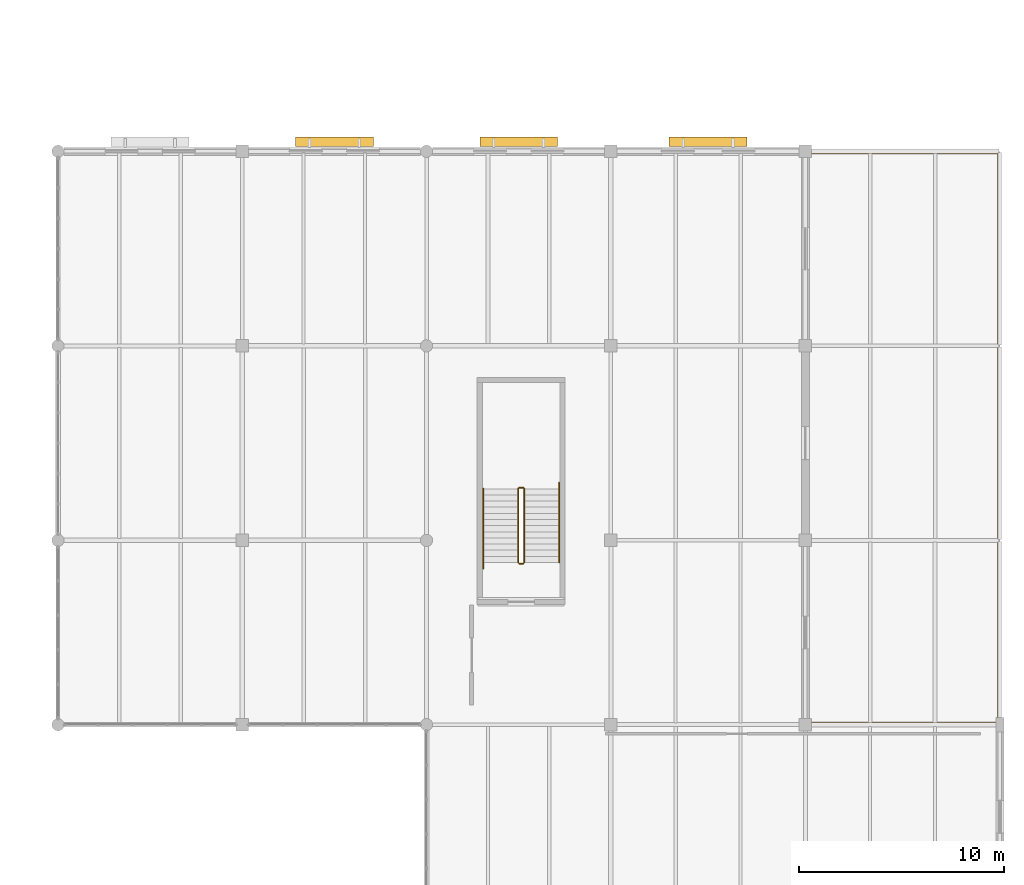
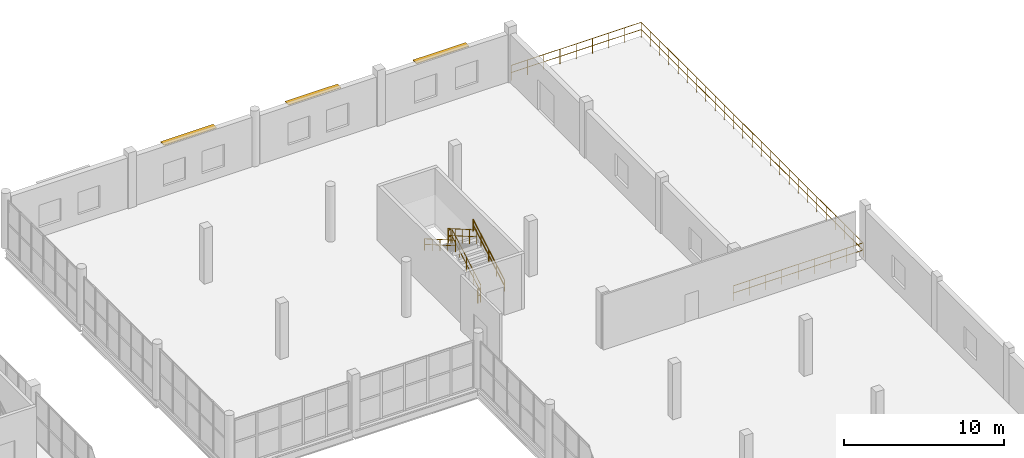
# One storey, part 73 of 73: 7 railings, 3 shading devices.
"""IFC4 building model written with IfcOpenShell, lengths in metres."""

import ifcopenshell
import ifcopenshell.guid

model = None  # the IFC model being written
_history = None  # IfcOwnerHistory: only IFC2X3 demands one
_inside = {}  # id of a spatial element -> (the spatial element, [elements in it])
_under = {}  # id of a project, library or spatial element -> (it, [spatial elements below it])
_declared = {}  # id of a project -> (the project, [libraries it declares])
_typed = {}  # id of a type object -> (the type object, [elements of that type])
_made_of = {}  # id of a material, layer set ... -> (it, [elements and type objects made of it])


def new_model(schema):
    """Start an empty IFC model of exactly this schema.

    Asked for "IFC4X3", IfcOpenShell would pick the latest addendum, in which some entities
    have other attributes; the version numbers below select the first issue.
    IFC2X3 requires an IfcOwnerHistory on every rooted entity: one is made here for all.
    """
    global model, _history
    if schema == "IFC4X3":
        model = ifcopenshell.file(schema_version=(4, 3, 0, 0))
    else:
        model = ifcopenshell.file(schema=schema)
    _inside.clear()
    _under.clear()
    _declared.clear()
    _typed.clear()
    _made_of.clear()
    _history = None
    if model.schema == "IFC2X3":
        org = make("IfcOrganization", Name="unknown")
        user = make(
            "IfcPersonAndOrganization",
            ThePerson=make("IfcPerson", FamilyName="unknown"),
            TheOrganization=org,
        )
        app = make(
            "IfcApplication",
            ApplicationDeveloper=org,
            Version="unknown",
            ApplicationFullName="unknown",
            ApplicationIdentifier="unknown",
        )
        _history = make(
            "IfcOwnerHistory",
            OwningUser=user,
            OwningApplication=app,
            ChangeAction="ADDED",
            CreationDate=0,
        )
    return model


def make(cls, **values):
    """One entity of the class cls with the attributes given. An attribute that is None is left unset."""
    return model.create_entity(
        cls, **{name: value for name, value in values.items() if value is not None}
    )


def rooted(cls, **values):
    """An entity with a GlobalId (a new one), such as an element, a storey or a relation."""
    return make(cls, GlobalId=ifcopenshell.guid.new(), OwnerHistory=_history, **values)


def si_unit(unit_type, name, prefix=None):
    """IfcSIUnit, for example si_unit("LENGTHUNIT", "METRE", prefix="MILLI")."""
    return make("IfcSIUnit", UnitType=unit_type, Prefix=prefix, Name=name)


def assignment(units):
    """IfcUnitAssignment: the units of a project."""
    return None if units is None else make("IfcUnitAssignment", Units=units)


def point(xyz):
    """IfcCartesianPoint."""
    return None if xyz is None else make("IfcCartesianPoint", Coordinates=xyz)


def direction(xyz):
    """IfcDirection."""
    return None if xyz is None else make("IfcDirection", DirectionRatios=xyz)


def frame(location, z_axis=None, x_axis=None):
    """IfcAxis2Placement3D, a coordinate frame: its origin and axes. An axis left out is left unset."""
    return make(
        "IfcAxis2Placement3D",
        Location=point(location),
        Axis=direction(z_axis),
        RefDirection=direction(x_axis),
    )


def frame_2d(location, x_axis=None):
    """IfcAxis2Placement2D, a coordinate frame in the plane: its origin and x axis."""
    return make(
        "IfcAxis2Placement2D", Location=point(location), RefDirection=direction(x_axis)
    )


def origin():
    """The frame at (0, 0, 0) with its axes left unset."""
    return frame((0.0, 0.0, 0.0))


def origin_2d():
    """The frame at (0, 0) in the plane with its x axis left unset."""
    return frame_2d((0.0, 0.0))


def place(relative_to, where):
    """IfcLocalPlacement: puts the frame where relative to a parent placement (None: the world)."""
    return make(
        "IfcLocalPlacement", PlacementRelTo=relative_to, RelativePlacement=where
    )


def context(
    kind, dimensions, precision=None, world=None, true_north=None, identifier=None
):
    """IfcGeometricRepresentationContext, for example the 3D "Model" context."""
    return make(
        "IfcGeometricRepresentationContext",
        ContextIdentifier=identifier,
        ContextType=kind,
        CoordinateSpaceDimension=dimensions,
        Precision=precision,
        WorldCoordinateSystem=world,
        TrueNorth=true_north,
    )


def subcontext(parent, identifier, kind, view, scale=None):
    """IfcGeometricRepresentationSubContext, for example "Body" below "Model"."""
    return make(
        "IfcGeometricRepresentationSubContext",
        ContextIdentifier=identifier,
        ContextType=kind,
        ParentContext=parent,
        TargetScale=scale,
        TargetView=view,
    )


def project(units=None, contexts=None):
    """IfcProject with its units and contexts."""
    return rooted(
        "IfcProject",
        Name="project",
        RepresentationContexts=contexts,
        UnitsInContext=assignment(units),
    )


def spatial(cls, under=None, at=None, **own):
    """A site, building, storey or space (cls), placed at a placement, below another one or the project."""
    s = rooted(cls, ObjectPlacement=at, **own)
    if under is not None:
        _under.setdefault(under.id(), (under, []))[1].append(s)
    return s


def profile(cls, at=None, kind="AREA", **sizes):
    """A parametric profile (cls). Its sizes go by their IFC names, for example OverallWidth=200.0."""
    return make(cls, ProfileType=kind, Position=at, **sizes)


def rectangle(**sizes):
    """IfcRectangleProfileDef."""
    return profile("IfcRectangleProfileDef", **sizes)


def circle(**sizes):
    """IfcCircleProfileDef."""
    return profile("IfcCircleProfileDef", **sizes)


def extrude(swept, where, along, depth):
    """IfcExtrudedAreaSolid: the profile swept, set in the frame where, extruded along a direction by depth."""
    return make(
        "IfcExtrudedAreaSolid",
        SweptArea=swept,
        Position=where,
        ExtrudedDirection=direction(along),
        Depth=depth,
    )


def shape(context_of_items, identifier, shape_type, items):
    """IfcShapeRepresentation: the items that make up one representation, for example the "Body"."""
    return make(
        "IfcShapeRepresentation",
        ContextOfItems=context_of_items,
        RepresentationIdentifier=identifier,
        RepresentationType=shape_type,
        Items=items,
    )


def material(Name=None, Category=None):
    """IfcMaterial."""
    return make("IfcMaterial", Name=Name, Category=Category)


def layer(
    of_material, thickness, ventilated=None, Name=None, Category=None, Priority=None
):
    """IfcMaterialLayer: one layer of a wall or slab, of a material (None: an air gap)."""
    return make(
        "IfcMaterialLayer",
        Material=of_material,
        LayerThickness=thickness,
        IsVentilated=ventilated,
        Name=Name,
        Category=Category,
        Priority=Priority,
    )


def layer_set(layers, Name=None):
    """IfcMaterialLayerSet."""
    return make("IfcMaterialLayerSet", MaterialLayers=layers, LayerSetName=Name)


def made_of(thing, what):
    """Note that an element or type object is made of a material, layer set ...; save() writes the relation."""
    if what is not None:
        _made_of.setdefault(what.id(), (what, []))[1].append(thing)
    return thing


def type_object(cls, material=None, **own):
    """A type object (cls), such as IfcWallType, which elements share."""
    return made_of(rooted(cls, **own), material)


def element(
    cls,
    number,
    at=None,
    inside=None,
    cuts=None,
    type_object=None,
    material=None,
    context=None,
    identifier="Body",
    shape_type=None,
    held_by="IfcProductDefinitionShape",
    body=None,
    shapes=None,
    **own,
):
    """One element of the class cls, such as IfcWall. Its Tag is "e" and its number.

    at: its placement. inside: the storey or other place that contains it. cuts: it is an
    opening in that element (IfcRelVoidsElement). A single representation is given by context,
    identifier, shape_type and body (its items); several are given by shapes. held_by: the class
    of the entity that holds the representations. save() writes the other relations.
    """
    e = rooted(cls, Tag="e%d" % number, ObjectPlacement=at, **own)
    if body is not None:
        shapes = [shape(context, identifier, shape_type, body)]
    if shapes is not None:
        e.Representation = make(held_by, Representations=shapes)
    if inside is not None:
        _inside.setdefault(inside.id(), (inside, []))[1].append(e)
    if cuts is not None:
        rooted(
            "IfcRelVoidsElement", RelatingBuildingElement=cuts, RelatedOpeningElement=e
        )
    if type_object is not None:
        _typed.setdefault(type_object.id(), (type_object, []))[1].append(e)
    return made_of(e, material)


def aggregate(whole, parts):
    """IfcRelAggregates: a whole, such as a stair, and the parts it consists of."""
    return rooted("IfcRelAggregates", RelatingObject=whole, RelatedObjects=parts)


def save(model, path):
    """Write the relations noted so far, then the file.

    IfcRelAggregates (storeys below a building ...), IfcRelContainedInSpatialStructure (elements
    in a storey), IfcRelDefinesByType, IfcRelAssociatesMaterial and IfcRelDeclares: one each for
    every whole, place, type object, material and project.
    """
    for whole, parts in _under.values():
        aggregate(whole, parts)
    for where, things in _inside.values():
        rooted(
            "IfcRelContainedInSpatialStructure",
            RelatedElements=things,
            RelatingStructure=where,
        )
    for kind, things in _typed.values():
        rooted("IfcRelDefinesByType", RelatedObjects=things, RelatingType=kind)
    for what, things in _made_of.values():
        rooted("IfcRelAssociatesMaterial", RelatedObjects=things, RelatingMaterial=what)
    for by, libraries in _declared.values():
        rooted("IfcRelDeclares", RelatingContext=by, RelatedDefinitions=libraries)
    model.write(path)


model = new_model("IFC4")

# Units and contexts
model_context = context("Model", 3, precision=1e-05, world=origin(), true_north=direction((0.0, 1.0)))
body_context = subcontext(model_context, "Body", "Model", "MODEL_VIEW")
ifc_project = project(units=[si_unit("LENGTHUNIT", "METRE"), si_unit("AREAUNIT", "SQUARE_METRE"), si_unit("VOLUMEUNIT", "CUBIC_METRE"), si_unit("PLANEANGLEUNIT", "RADIAN"), si_unit("MASSUNIT", "GRAM", prefix="KILO")], contexts=[model_context])

# Site, building, storey
site_placement = place(None, origin())
site = spatial("IfcSite", under=ifc_project, at=site_placement, CompositionType="ELEMENT")
building_placement = place(site_placement, origin())
building = spatial("IfcBuilding", under=site, at=building_placement, Name="Marnock Terrace Opera House", CompositionType="ELEMENT")
storey_placement = place(building_placement, frame((0.0, 0.0, 14.699951171875)))
storey = spatial("IfcBuildingStorey", under=building, at=storey_placement, Name="L03", CompositionType="ELEMENT", Elevation=14.699951171875)

# Railings
ifc_material_1 = material(Name="Basket Range sandstone ashlar masonry", Category="masonry")
railing_type_1 = type_object("IfcRailingType", Name="RL-BALUST-1150", PredefinedType="BALUSTRADE", material=ifc_material_1)
railing_1_placement = place(storey_placement, frame((154.5, 66.10009765625, 0.0)))
element("IfcRailing", 1, at=railing_1_placement, inside=storey, type_object=railing_type_1, Name="L03 roof-garden balustrade BAL-L03-V5-PERIM", PredefinedType="BALUSTRADE", context=body_context, shape_type="SweptSolid", body=[
    extrude(circle(Radius=0.02392578125, at=origin_2d()), frame((0.0, 0.0, 1.1259765625), z_axis=(1.0, 0.0, 0.0), x_axis=(0.0, 1.0, 0.0)), (0.0, 0.0, 1.0), 9.39990234375),
    extrude(circle(Radius=0.02392578125, at=origin_2d()), frame((0.0, 0.0, 0.574951171875), z_axis=(1.0, 0.0, 0.0), x_axis=(0.0, 1.0, 0.0)), (0.0, 0.0, 1.0), 9.39990234375),
    extrude(circle(Radius=0.02392578125, at=origin_2d()), frame((9.39990234375, 0.0, 1.1259765625), z_axis=(0.0, 1.0, 0.0), x_axis=(-1.0, 0.0, 0.0)), (0.0, 0.0, 1.0), 27.7998046875),
    extrude(circle(Radius=0.02392578125, at=origin_2d()), frame((9.39990234375, 0.0, 0.574951171875), z_axis=(0.0, 1.0, 0.0), x_axis=(-1.0, 0.0, 0.0)), (0.0, 0.0, 1.0), 27.7998046875),
    extrude(circle(Radius=0.02392578125, at=origin_2d()), frame((9.39990234375, 27.7998046875, 1.1259765625), z_axis=(-1.0, 0.0, 0.0), x_axis=(0.0, -1.0, 0.0)), (0.0, 0.0, 1.0), 9.39990234375),
    extrude(circle(Radius=0.02392578125, at=origin_2d()), frame((9.39990234375, 27.7998046875, 0.574951171875), z_axis=(-1.0, 0.0, 0.0), x_axis=(0.0, -1.0, 0.0)), (0.0, 0.0, 1.0), 9.39990234375),
    extrude(circle(Radius=0.02099609375, at=origin_2d()), origin(), (0.0, 0.0, 1.0), 1.101806640625),
    extrude(circle(Radius=0.02099609375, at=origin_2d()), frame((1.175048828125, 0.0, 0.0)), (0.0, 0.0, 1.0), 1.101806640625),
    extrude(circle(Radius=0.02099609375, at=origin_2d()), frame((2.35009765625, 0.0, 0.0)), (0.0, 0.0, 1.0), 1.101806640625),
    extrude(circle(Radius=0.02099609375, at=origin_2d()), frame((3.52490234375, 0.0, 0.0)), (0.0, 0.0, 1.0), 1.101806640625),
    extrude(circle(Radius=0.02099609375, at=origin_2d()), frame((4.699951171875, 0.0, 0.0)), (0.0, 0.0, 1.0), 1.101806640625),
    extrude(circle(Radius=0.02099609375, at=origin_2d()), frame((5.875, 0.0, 0.0)), (0.0, 0.0, 1.0), 1.101806640625),
    extrude(circle(Radius=0.02099609375, at=origin_2d()), frame((7.0498046875, 0.0, 0.0)), (0.0, 0.0, 1.0), 1.101806640625),
    extrude(circle(Radius=0.02099609375, at=origin_2d()), frame((8.224853515625, 0.0, 0.0)), (0.0, 0.0, 1.0), 1.101806640625),
    extrude(circle(Radius=0.02099609375, at=origin_2d()), frame((9.39990234375, 0.0, 0.0)), (0.0, 0.0, 1.0), 1.101806640625),
    extrude(circle(Radius=0.02099609375, at=origin_2d()), frame((9.39990234375, 1.158203125, 0.0)), (0.0, 0.0, 1.0), 1.101806640625),
    extrude(circle(Radius=0.02099609375, at=origin_2d()), frame((9.39990234375, 2.316650390625, 0.0)), (0.0, 0.0, 1.0), 1.101806640625),
    extrude(circle(Radius=0.02099609375, at=origin_2d()), frame((9.39990234375, 3.47509765625, 0.0)), (0.0, 0.0, 1.0), 1.101806640625),
    extrude(circle(Radius=0.02099609375, at=origin_2d()), frame((9.39990234375, 4.63330078125, 0.0)), (0.0, 0.0, 1.0), 1.101806640625),
    extrude(circle(Radius=0.02099609375, at=origin_2d()), frame((9.39990234375, 5.79150390625, 0.0)), (0.0, 0.0, 1.0), 1.101806640625),
    extrude(circle(Radius=0.02099609375, at=origin_2d()), frame((9.39990234375, 6.949951171875, 0.0)), (0.0, 0.0, 1.0), 1.101806640625),
    extrude(circle(Radius=0.02099609375, at=origin_2d()), frame((9.39990234375, 8.1083984375, 0.0)), (0.0, 0.0, 1.0), 1.101806640625),
    extrude(circle(Radius=0.02099609375, at=origin_2d()), frame((9.39990234375, 9.2666015625, 0.0)), (0.0, 0.0, 1.0), 1.101806640625),
    extrude(circle(Radius=0.02099609375, at=origin_2d()), frame((9.39990234375, 10.4248046875, 0.0)), (0.0, 0.0, 1.0), 1.101806640625),
    extrude(circle(Radius=0.02099609375, at=origin_2d()), frame((9.39990234375, 11.583251953125, 0.0)), (0.0, 0.0, 1.0), 1.101806640625),
    extrude(circle(Radius=0.02099609375, at=origin_2d()), frame((9.39990234375, 12.74169921875, 0.0)), (0.0, 0.0, 1.0), 1.101806640625),
    extrude(circle(Radius=0.02099609375, at=origin_2d()), frame((9.39990234375, 13.89990234375, 0.0)), (0.0, 0.0, 1.0), 1.101806640625),
    extrude(circle(Radius=0.02099609375, at=origin_2d()), frame((9.39990234375, 15.05810546875, 0.0)), (0.0, 0.0, 1.0), 1.101806640625),
    extrude(circle(Radius=0.02099609375, at=origin_2d()), frame((9.39990234375, 16.216552734375, 0.0)), (0.0, 0.0, 1.0), 1.101806640625),
    extrude(circle(Radius=0.02099609375, at=origin_2d()), frame((9.39990234375, 17.375, 0.0)), (0.0, 0.0, 1.0), 1.101806640625),
    extrude(circle(Radius=0.02099609375, at=origin_2d()), frame((9.39990234375, 18.533203125, 0.0)), (0.0, 0.0, 1.0), 1.101806640625),
    extrude(circle(Radius=0.02099609375, at=origin_2d()), frame((9.39990234375, 19.69140625, 0.0)), (0.0, 0.0, 1.0), 1.101806640625),
    extrude(circle(Radius=0.02099609375, at=origin_2d()), frame((9.39990234375, 20.849853515625, 0.0)), (0.0, 0.0, 1.0), 1.101806640625),
    extrude(circle(Radius=0.02099609375, at=origin_2d()), frame((9.39990234375, 22.00830078125, 0.0)), (0.0, 0.0, 1.0), 1.101806640625),
    extrude(circle(Radius=0.02099609375, at=origin_2d()), frame((9.39990234375, 23.16650390625, 0.0)), (0.0, 0.0, 1.0), 1.101806640625),
    extrude(circle(Radius=0.02099609375, at=origin_2d()), frame((9.39990234375, 24.32470703125, 0.0)), (0.0, 0.0, 1.0), 1.101806640625),
    extrude(circle(Radius=0.02099609375, at=origin_2d()), frame((9.39990234375, 25.483154296875, 0.0)), (0.0, 0.0, 1.0), 1.101806640625),
    extrude(circle(Radius=0.02099609375, at=origin_2d()), frame((9.39990234375, 26.6416015625, 0.0)), (0.0, 0.0, 1.0), 1.101806640625),
    extrude(circle(Radius=0.02099609375, at=origin_2d()), frame((9.39990234375, 27.7998046875, 0.0)), (0.0, 0.0, 1.0), 1.101806640625),
    extrude(circle(Radius=0.02099609375, at=origin_2d()), frame((8.224853515625, 27.7998046875, 0.0)), (0.0, 0.0, 1.0), 1.101806640625),
    extrude(circle(Radius=0.02099609375, at=origin_2d()), frame((7.0498046875, 27.7998046875, 0.0)), (0.0, 0.0, 1.0), 1.101806640625),
    extrude(circle(Radius=0.02099609375, at=origin_2d()), frame((5.875, 27.7998046875, 0.0)), (0.0, 0.0, 1.0), 1.101806640625),
    extrude(circle(Radius=0.02099609375, at=origin_2d()), frame((4.699951171875, 27.7998046875, 0.0)), (0.0, 0.0, 1.0), 1.101806640625),
    extrude(circle(Radius=0.02099609375, at=origin_2d()), frame((3.52490234375, 27.7998046875, 0.0)), (0.0, 0.0, 1.0), 1.101806640625),
    extrude(circle(Radius=0.02099609375, at=origin_2d()), frame((2.35009765625, 27.7998046875, 0.0)), (0.0, 0.0, 1.0), 1.101806640625),
    extrude(circle(Radius=0.02099609375, at=origin_2d()), frame((1.175048828125, 27.7998046875, 0.0)), (0.0, 0.0, 1.0), 1.101806640625),
    extrude(circle(Radius=0.02099609375, at=origin_2d()), frame((0.0, 27.7998046875, 0.0)), (0.0, 0.0, 1.0), 1.101806640625),
])
ifc_material_2 = material(Name="Architectural bronze balustrade")
railing_type_2 = type_object("IfcRailingType", Name="RL-GUARD-1100", PredefinedType="GUARDRAIL", material=ifc_material_2)
railing_2_placement = place(storey_placement, frame((140.77001953125, 73.919921875, 0.173095703125)))
element("IfcRailing", 2, at=railing_2_placement, inside=storey, type_object=railing_type_2, Name="L03 ST-08 stair guard 1", PredefinedType="GUARDRAIL", context=body_context, shape_type="SweptSolid", body=[
    extrude(circle(Radius=0.02392578125, at=origin_2d()), frame((0.0, 0.0, 1.076171875), z_axis=(0.0, 0.866193409371, 0.499708892819), x_axis=(-1.0, 0.0, 0.0)), (0.0, 0.0, 1.0), 4.15625),
    extrude(circle(Radius=0.02392578125, at=origin_2d()), frame((0.0, 0.0, 0.550048828125), z_axis=(0.0, 0.866193409371, 0.499708892819), x_axis=(-1.0, 0.0, 0.0)), (0.0, 0.0, 1.0), 4.15625),
    extrude(circle(Radius=0.02099609375, at=origin_2d()), origin(), (0.0, 0.0, 1.0), 1.052001953125),
    extrude(circle(Radius=0.02099609375, at=origin_2d()), frame((0.0, 0.89990234375, 0.519287109375)), (0.0, 0.0, 1.0), 1.052001953125),
    extrude(circle(Radius=0.02099609375, at=origin_2d()), frame((0.0, 1.800048828125, 1.03857421875)), (0.0, 0.0, 1.0), 1.052001953125),
    extrude(circle(Radius=0.02099609375, at=origin_2d()), frame((0.0, 2.7001953125, 1.5576171875)), (0.0, 0.0, 1.0), 1.052001953125),
    extrude(circle(Radius=0.02099609375, at=origin_2d()), frame((0.0, 3.60009765625, 2.076904296875)), (0.0, 0.0, 1.0), 1.052001953125),
])
railing_3_placement = place(storey_placement, frame((140.719970703125, 77.570068359375, 2.25)))
element("IfcRailing", 3, at=railing_3_placement, inside=storey, type_object=railing_type_2, Name="L03 ST-08 stair guard 2", PredefinedType="GUARDRAIL", context=body_context, shape_type="SweptSolid", body=[
    extrude(circle(Radius=0.02392578125, at=origin_2d()), frame((0.0, 0.0, 1.076171875), z_axis=(-1.0, 0.0, 0.0), x_axis=(0.0, -1.0, 0.0)), (0.0, 0.0, 1.0), 0.199951171875),
    extrude(circle(Radius=0.02392578125, at=origin_2d()), frame((0.0, 0.0, 0.550048828125), z_axis=(-1.0, 0.0, 0.0), x_axis=(0.0, -1.0, 0.0)), (0.0, 0.0, 1.0), 0.199951171875),
    extrude(circle(Radius=0.02099609375, at=origin_2d()), origin(), (0.0, 0.0, 1.0), 1.052001953125),
    extrude(circle(Radius=0.02099609375, at=origin_2d()), frame((-0.199951171875, 0.0, 0.0)), (0.0, 0.0, 1.0), 1.052001953125),
])
railing_4_placement = place(storey_placement, frame((140.469970703125, 77.52001953125, 2.423095703125)))
element("IfcRailing", 4, at=railing_4_placement, inside=storey, type_object=railing_type_2, Name="L03 ST-08 stair guard 3", PredefinedType="GUARDRAIL", context=body_context, shape_type="SweptSolid", body=[
    extrude(circle(Radius=0.02392578125, at=origin_2d()), frame((0.0, 0.0, 1.076171875), z_axis=(0.0, -0.866193409371, 0.499708892819), x_axis=(1.0, 0.0, 0.0)), (0.0, 0.0, 1.0), 4.15625),
    extrude(circle(Radius=0.02392578125, at=origin_2d()), frame((0.0, 0.0, 0.550048828125), z_axis=(0.0, -0.866193409371, 0.499708892819), x_axis=(1.0, 0.0, 0.0)), (0.0, 0.0, 1.0), 4.15625),
    extrude(circle(Radius=0.02099609375, at=origin_2d()), origin(), (0.0, 0.0, 1.0), 1.052001953125),
    extrude(circle(Radius=0.02099609375, at=origin_2d()), frame((0.0, -0.89990234375, 0.519287109375)), (0.0, 0.0, 1.0), 1.052001953125),
    extrude(circle(Radius=0.02099609375, at=origin_2d()), frame((0.0, -1.800048828125, 1.03857421875)), (0.0, 0.0, 1.0), 1.052001953125),
    extrude(circle(Radius=0.02099609375, at=origin_2d()), frame((0.0, -2.7001953125, 1.5576171875)), (0.0, 0.0, 1.0), 1.052001953125),
    extrude(circle(Radius=0.02099609375, at=origin_2d()), frame((0.0, -3.60009765625, 2.076904296875)), (0.0, 0.0, 1.0), 1.052001953125),
])
railing_5_placement = place(storey_placement, frame((140.719970703125, 73.8701171875, 0.0)))
element("IfcRailing", 5, at=railing_5_placement, inside=storey, type_object=railing_type_2, Name="L03 ST-08 stair guard 4", PredefinedType="GUARDRAIL", context=body_context, shape_type="SweptSolid", body=[
    extrude(circle(Radius=0.02392578125, at=origin_2d()), frame((0.0, 0.0, 1.076171875), z_axis=(-1.0, 0.0, 0.0), x_axis=(0.0, -1.0, 0.0)), (0.0, 0.0, 1.0), 0.199951171875),
    extrude(circle(Radius=0.02392578125, at=origin_2d()), frame((0.0, 0.0, 0.550048828125), z_axis=(-1.0, 0.0, 0.0), x_axis=(0.0, -1.0, 0.0)), (0.0, 0.0, 1.0), 0.199951171875),
    extrude(circle(Radius=0.02099609375, at=origin_2d()), origin(), (0.0, 0.0, 1.0), 1.052001953125),
    extrude(circle(Radius=0.02099609375, at=origin_2d()), frame((-0.199951171875, 0.0, 0.0)), (0.0, 0.0, 1.0), 1.052001953125),
])
railing_type_3 = type_object("IfcRailingType", Name="RL-HAND-900", PredefinedType="HANDRAIL", material=ifc_material_2)
railing_6_placement = place(storey_placement, frame((142.469970703125, 73.919921875, 0.18505859375)))
element("IfcRailing", 6, at=railing_6_placement, inside=storey, type_object=railing_type_3, Name="L03 ST-08 stair handrail 1", PredefinedType="HANDRAIL", context=body_context, shape_type="SweptSolid", body=[
    extrude(circle(Radius=0.02392578125, at=origin_2d()), frame((0.0, 0.0, 0.8759765625), z_axis=(0.0, 0.866193710181, 0.499708371395), x_axis=(-1.0, 0.0, 0.0)), (0.0, 0.0, 1.0), 4.502685546875),
    extrude(circle(Radius=0.02392578125, at=origin_2d()), frame((0.0, 0.0, 0.449951171875), z_axis=(0.0, 0.866193710181, 0.499708371395), x_axis=(-1.0, 0.0, 0.0)), (0.0, 0.0, 1.0), 4.502685546875),
    extrude(circle(Radius=0.02099609375, at=origin_2d()), origin(), (0.0, 0.0, 1.0), 0.851806640625),
    extrude(circle(Radius=0.02099609375, at=origin_2d()), frame((0.0, 0.97509765625, 0.5625)), (0.0, 0.0, 1.0), 0.851806640625),
    extrude(circle(Radius=0.02099609375, at=origin_2d()), frame((0.0, 1.9501953125, 1.125)), (0.0, 0.0, 1.0), 0.851806640625),
    extrude(circle(Radius=0.02099609375, at=origin_2d()), frame((0.0, 2.925048828125, 1.6875)), (0.0, 0.0, 1.0), 0.851806640625),
    extrude(circle(Radius=0.02099609375, at=origin_2d()), frame((0.0, 3.900146484375, 2.25)), (0.0, 0.0, 1.0), 0.851806640625),
])
railing_7_placement = place(storey_placement, frame((138.77001953125, 77.52001953125, 2.43505859375)))
element("IfcRailing", 7, at=railing_7_placement, inside=storey, type_object=railing_type_3, Name="L03 ST-08 stair handrail 2", PredefinedType="HANDRAIL", context=body_context, shape_type="SweptSolid", body=[
    extrude(circle(Radius=0.02392578125, at=origin_2d()), frame((0.0, 0.0, 0.8759765625), z_axis=(0.0, -0.866180169578, 0.49973184192), x_axis=(1.0, 0.0, 0.0)), (0.0, 0.0, 1.0), 4.50244140625),
    extrude(circle(Radius=0.02392578125, at=origin_2d()), frame((0.0, 0.0, 0.449951171875), z_axis=(0.0, -0.866180169578, 0.49973184192), x_axis=(1.0, 0.0, 0.0)), (0.0, 0.0, 1.0), 4.50244140625),
    extrude(circle(Radius=0.02099609375, at=origin_2d()), origin(), (0.0, 0.0, 1.0), 0.851806640625),
    extrude(circle(Radius=0.02099609375, at=origin_2d()), frame((0.0, -0.97509765625, 0.5625)), (0.0, 0.0, 1.0), 0.851806640625),
    extrude(circle(Radius=0.02099609375, at=origin_2d()), frame((0.0, -1.949951171875, 1.125)), (0.0, 0.0, 1.0), 0.851806640625),
    extrude(circle(Radius=0.02099609375, at=origin_2d()), frame((0.0, -2.9248046875, 1.6875)), (0.0, 0.0, 1.0), 0.851806640625),
    extrude(circle(Radius=0.02099609375, at=origin_2d()), frame((0.0, -3.89990234375, 2.25)), (0.0, 0.0, 1.0), 0.851806640625),
])

# Shading devices
ifc_material_3 = material(Name="Architectural cast bronze")
ifc_layer = layer(ifc_material_3, 0.054931640625)
ifc_layer_set = layer_set([ifc_layer], Name="Architectural cast bronze")
shading_device_type = type_object("IfcShadingDeviceType", Name="SHD-LOUVRE-3800", PredefinedType="JALOUSIE", material=ifc_layer_set)
for number, where, z_axis, x_axis, name in (
    (8, (131.5, 94.465087890625, 3.4921875), (0.0, 0.0, 1.0), (1.0, 0.0, 0.0), "Adelaide sun-control bronze brise-soleil EW-V5N-L03-2"),
    (9, (140.5, 94.465087890625, 3.41943359375), (0.0, 0.0, 1.0), (1.0, 0.0, 0.0), "Adelaide sun-control bronze brise-soleil EW-V5N-L03-3"),
    (10, (149.75, 94.465087890625, 3.345703125), (0.0, 0.0, 1.0), (1.0, 0.0, 0.0), "Adelaide sun-control bronze brise-soleil EW-V5N-L03-4"),
):
    element("IfcShadingDevice", number, at=place(storey_placement, frame(where, z_axis=z_axis, x_axis=x_axis)), inside=storey, type_object=shading_device_type, Name=name, PredefinedType="JALOUSIE", context=body_context, shape_type="SweptSolid", body=[
        extrude(rectangle(XDim=3.800048828125, YDim=0.449951171875, at=origin_2d()), origin(), (0.0, 0.0, 1.0), 0.054931640625),
    ])

save(model, "model.ifc")
